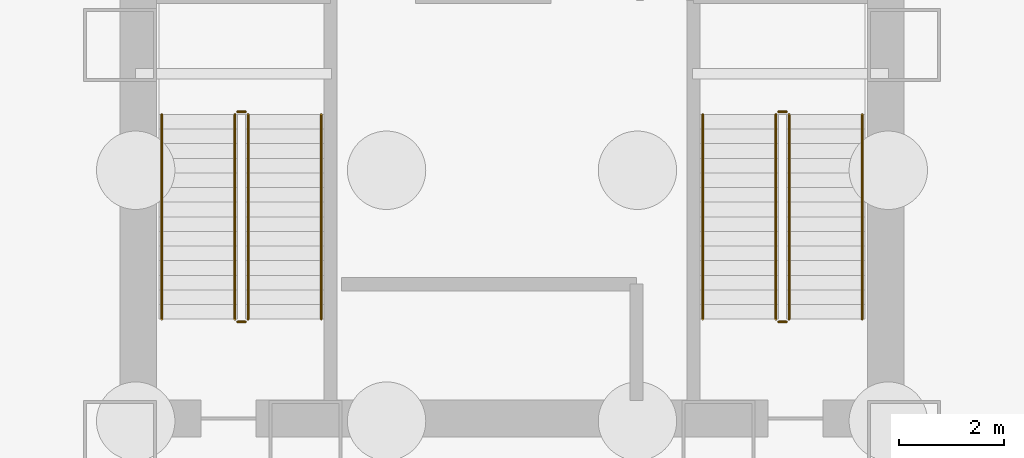
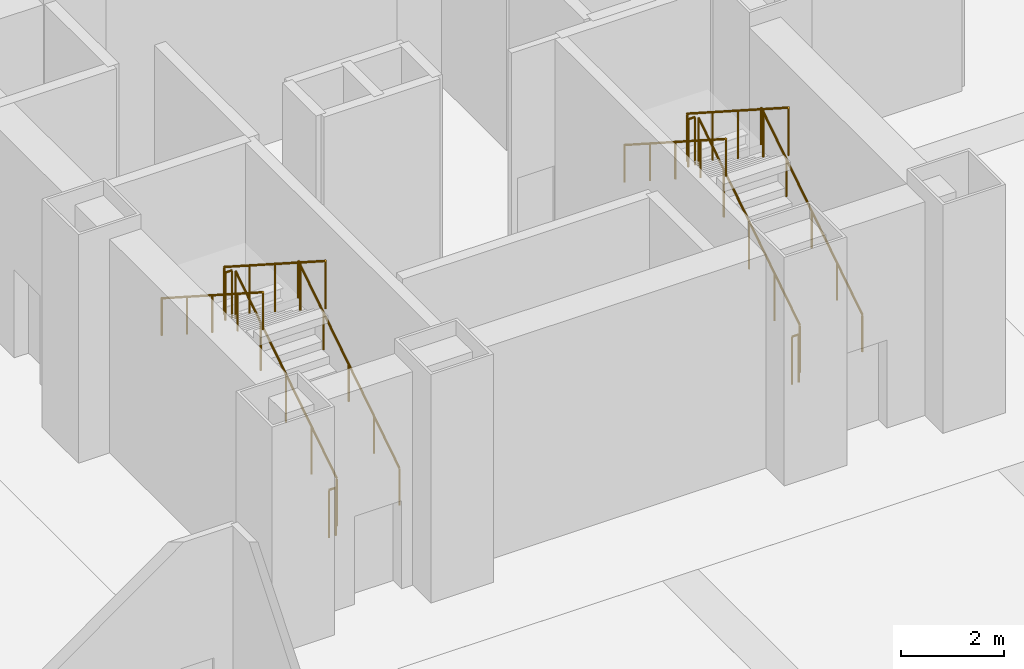
# One storey, part 11 of 16: 12 railings.
"""IFC4 building model written with IfcOpenShell, lengths in metres."""

import ifcopenshell
import ifcopenshell.guid

model = None  # the IFC model being written
_history = None  # IfcOwnerHistory: only IFC2X3 demands one
_inside = {}  # id of a spatial element -> (the spatial element, [elements in it])
_under = {}  # id of a project, library or spatial element -> (it, [spatial elements below it])
_declared = {}  # id of a project -> (the project, [libraries it declares])
_typed = {}  # id of a type object -> (the type object, [elements of that type])
_made_of = {}  # id of a material, layer set ... -> (it, [elements and type objects made of it])


def new_model(schema):
    """Start an empty IFC model of exactly this schema.

    Asked for "IFC4X3", IfcOpenShell would pick the latest addendum, in which some entities
    have other attributes; the version numbers below select the first issue.
    IFC2X3 requires an IfcOwnerHistory on every rooted entity: one is made here for all.
    """
    global model, _history
    if schema == "IFC4X3":
        model = ifcopenshell.file(schema_version=(4, 3, 0, 0))
    else:
        model = ifcopenshell.file(schema=schema)
    _inside.clear()
    _under.clear()
    _declared.clear()
    _typed.clear()
    _made_of.clear()
    _history = None
    if model.schema == "IFC2X3":
        org = make("IfcOrganization", Name="unknown")
        user = make(
            "IfcPersonAndOrganization",
            ThePerson=make("IfcPerson", FamilyName="unknown"),
            TheOrganization=org,
        )
        app = make(
            "IfcApplication",
            ApplicationDeveloper=org,
            Version="unknown",
            ApplicationFullName="unknown",
            ApplicationIdentifier="unknown",
        )
        _history = make(
            "IfcOwnerHistory",
            OwningUser=user,
            OwningApplication=app,
            ChangeAction="ADDED",
            CreationDate=0,
        )
    return model


def make(cls, **values):
    """One entity of the class cls with the attributes given. An attribute that is None is left unset."""
    return model.create_entity(
        cls, **{name: value for name, value in values.items() if value is not None}
    )


def rooted(cls, **values):
    """An entity with a GlobalId (a new one), such as an element, a storey or a relation."""
    return make(cls, GlobalId=ifcopenshell.guid.new(), OwnerHistory=_history, **values)


def si_unit(unit_type, name, prefix=None):
    """IfcSIUnit, for example si_unit("LENGTHUNIT", "METRE", prefix="MILLI")."""
    return make("IfcSIUnit", UnitType=unit_type, Prefix=prefix, Name=name)


def assignment(units):
    """IfcUnitAssignment: the units of a project."""
    return None if units is None else make("IfcUnitAssignment", Units=units)


def point(xyz):
    """IfcCartesianPoint."""
    return None if xyz is None else make("IfcCartesianPoint", Coordinates=xyz)


def direction(xyz):
    """IfcDirection."""
    return None if xyz is None else make("IfcDirection", DirectionRatios=xyz)


def frame(location, z_axis=None, x_axis=None):
    """IfcAxis2Placement3D, a coordinate frame: its origin and axes. An axis left out is left unset."""
    return make(
        "IfcAxis2Placement3D",
        Location=point(location),
        Axis=direction(z_axis),
        RefDirection=direction(x_axis),
    )


def frame_2d(location, x_axis=None):
    """IfcAxis2Placement2D, a coordinate frame in the plane: its origin and x axis."""
    return make(
        "IfcAxis2Placement2D", Location=point(location), RefDirection=direction(x_axis)
    )


def origin():
    """The frame at (0, 0, 0) with its axes left unset."""
    return frame((0.0, 0.0, 0.0))


def origin_2d():
    """The frame at (0, 0) in the plane with its x axis left unset."""
    return frame_2d((0.0, 0.0))


def place(relative_to, where):
    """IfcLocalPlacement: puts the frame where relative to a parent placement (None: the world)."""
    return make(
        "IfcLocalPlacement", PlacementRelTo=relative_to, RelativePlacement=where
    )


def context(
    kind, dimensions, precision=None, world=None, true_north=None, identifier=None
):
    """IfcGeometricRepresentationContext, for example the 3D "Model" context."""
    return make(
        "IfcGeometricRepresentationContext",
        ContextIdentifier=identifier,
        ContextType=kind,
        CoordinateSpaceDimension=dimensions,
        Precision=precision,
        WorldCoordinateSystem=world,
        TrueNorth=true_north,
    )


def subcontext(parent, identifier, kind, view, scale=None):
    """IfcGeometricRepresentationSubContext, for example "Body" below "Model"."""
    return make(
        "IfcGeometricRepresentationSubContext",
        ContextIdentifier=identifier,
        ContextType=kind,
        ParentContext=parent,
        TargetScale=scale,
        TargetView=view,
    )


def project(units=None, contexts=None):
    """IfcProject with its units and contexts."""
    return rooted(
        "IfcProject",
        Name="project",
        RepresentationContexts=contexts,
        UnitsInContext=assignment(units),
    )


def spatial(cls, under=None, at=None, **own):
    """A site, building, storey or space (cls), placed at a placement, below another one or the project."""
    s = rooted(cls, ObjectPlacement=at, **own)
    if under is not None:
        _under.setdefault(under.id(), (under, []))[1].append(s)
    return s


def profile(cls, at=None, kind="AREA", **sizes):
    """A parametric profile (cls). Its sizes go by their IFC names, for example OverallWidth=200.0."""
    return make(cls, ProfileType=kind, Position=at, **sizes)


def circle(**sizes):
    """IfcCircleProfileDef."""
    return profile("IfcCircleProfileDef", **sizes)


def extrude(swept, where, along, depth):
    """IfcExtrudedAreaSolid: the profile swept, set in the frame where, extruded along a direction by depth."""
    return make(
        "IfcExtrudedAreaSolid",
        SweptArea=swept,
        Position=where,
        ExtrudedDirection=direction(along),
        Depth=depth,
    )


def shape(context_of_items, identifier, shape_type, items):
    """IfcShapeRepresentation: the items that make up one representation, for example the "Body"."""
    return make(
        "IfcShapeRepresentation",
        ContextOfItems=context_of_items,
        RepresentationIdentifier=identifier,
        RepresentationType=shape_type,
        Items=items,
    )


def material(Name=None, Category=None):
    """IfcMaterial."""
    return make("IfcMaterial", Name=Name, Category=Category)


def made_of(thing, what):
    """Note that an element or type object is made of a material, layer set ...; save() writes the relation."""
    if what is not None:
        _made_of.setdefault(what.id(), (what, []))[1].append(thing)
    return thing


def type_object(cls, material=None, **own):
    """A type object (cls), such as IfcWallType, which elements share."""
    return made_of(rooted(cls, **own), material)


def element(
    cls,
    number,
    at=None,
    inside=None,
    cuts=None,
    type_object=None,
    material=None,
    context=None,
    identifier="Body",
    shape_type=None,
    held_by="IfcProductDefinitionShape",
    body=None,
    shapes=None,
    **own,
):
    """One element of the class cls, such as IfcWall. Its Tag is "e" and its number.

    at: its placement. inside: the storey or other place that contains it. cuts: it is an
    opening in that element (IfcRelVoidsElement). A single representation is given by context,
    identifier, shape_type and body (its items); several are given by shapes. held_by: the class
    of the entity that holds the representations. save() writes the other relations.
    """
    e = rooted(cls, Tag="e%d" % number, ObjectPlacement=at, **own)
    if body is not None:
        shapes = [shape(context, identifier, shape_type, body)]
    if shapes is not None:
        e.Representation = make(held_by, Representations=shapes)
    if inside is not None:
        _inside.setdefault(inside.id(), (inside, []))[1].append(e)
    if cuts is not None:
        rooted(
            "IfcRelVoidsElement", RelatingBuildingElement=cuts, RelatedOpeningElement=e
        )
    if type_object is not None:
        _typed.setdefault(type_object.id(), (type_object, []))[1].append(e)
    return made_of(e, material)


def aggregate(whole, parts):
    """IfcRelAggregates: a whole, such as a stair, and the parts it consists of."""
    return rooted("IfcRelAggregates", RelatingObject=whole, RelatedObjects=parts)


def save(model, path):
    """Write the relations noted so far, then the file.

    IfcRelAggregates (storeys below a building ...), IfcRelContainedInSpatialStructure (elements
    in a storey), IfcRelDefinesByType, IfcRelAssociatesMaterial and IfcRelDeclares: one each for
    every whole, place, type object, material and project.
    """
    for whole, parts in _under.values():
        aggregate(whole, parts)
    for where, things in _inside.values():
        rooted(
            "IfcRelContainedInSpatialStructure",
            RelatedElements=things,
            RelatingStructure=where,
        )
    for kind, things in _typed.values():
        rooted("IfcRelDefinesByType", RelatedObjects=things, RelatingType=kind)
    for what, things in _made_of.values():
        rooted("IfcRelAssociatesMaterial", RelatedObjects=things, RelatingMaterial=what)
    for by, libraries in _declared.values():
        rooted("IfcRelDeclares", RelatingContext=by, RelatedDefinitions=libraries)
    model.write(path)


model = new_model("IFC4")

# Units and contexts
model_context = context("Model", 3, precision=1e-05, world=origin(), true_north=direction((0.0, 1.0)))
body_context = subcontext(model_context, "Body", "Model", "MODEL_VIEW")
ifc_project = project(units=[si_unit("LENGTHUNIT", "METRE"), si_unit("AREAUNIT", "SQUARE_METRE"), si_unit("VOLUMEUNIT", "CUBIC_METRE"), si_unit("PLANEANGLEUNIT", "RADIAN"), si_unit("MASSUNIT", "GRAM", prefix="KILO")], contexts=[model_context])

# Site, building, storey
site_placement = place(None, origin())
site = spatial("IfcSite", under=ifc_project, at=site_placement, CompositionType="ELEMENT")
building_placement = place(site_placement, origin())
building = spatial("IfcBuilding", under=site, at=building_placement, Name="Trevonay Congress Spire", CompositionType="ELEMENT")
storey_placement = place(building_placement, frame((0.0, 0.0, -10.800048828125)))
storey = spatial("IfcBuildingStorey", under=building, at=storey_placement, Name="B2", CompositionType="ELEMENT", Elevation=-10.800048828125)

# Railings
ifc_material = material(Name="Pale Anodised Aluminium EN AW-6063-T6", Category="aluminium")
railing_type_1 = type_object("IfcRailingType", Name="RAL-STAIR-GUARD-110", PredefinedType="GUARDRAIL", material=ifc_material)
railing_1_placement = place(storey_placement, frame((-5.050048828125, -5.25, 0.179931640625)))
element("IfcRailing", 1, at=railing_1_placement, inside=storey, type_object=railing_type_1, Name="B2 ST-1 stair guard 1", PredefinedType="GUARDRAIL", context=body_context, shape_type="SweptSolid", body=[
    extrude(circle(Radius=0.02392578125, at=origin_2d()), frame((0.0, 0.0, 1.1259765625), z_axis=(0.0, 0.841171666519, 0.540768182723), x_axis=(-1.0, 0.0, 0.0)), (0.0, 0.0, 1.0), 4.66015625),
    extrude(circle(Radius=0.02099609375, at=origin_2d()), origin(), (0.0, 0.0, 1.0), 1.101806640625),
    extrude(circle(Radius=0.02099609375, at=origin_2d()), frame((0.0, 0.97998046875, 0.6298828125)), (0.0, 0.0, 1.0), 1.101806640625),
    extrude(circle(Radius=0.02099609375, at=origin_2d()), frame((0.0, 1.9599609375, 1.260009765625)), (0.0, 0.0, 1.0), 1.101806640625),
    extrude(circle(Radius=0.02099609375, at=origin_2d()), frame((0.0, 2.93994140625, 1.89013671875)), (0.0, 0.0, 1.0), 1.101806640625),
    extrude(circle(Radius=0.02099609375, at=origin_2d()), frame((0.0, 3.919921875, 2.52001953125)), (0.0, 0.0, 1.0), 1.101806640625),
])
railing_2_placement = place(storey_placement, frame((-5.10009765625, -1.280029296875, 2.699951171875)))
element("IfcRailing", 2, at=railing_2_placement, inside=storey, type_object=railing_type_1, Name="B2 ST-1 stair guard 2", PredefinedType="GUARDRAIL", context=body_context, shape_type="SweptSolid", body=[
    extrude(circle(Radius=0.02392578125, at=origin_2d()), frame((0.0, 0.0, 1.1259765625), z_axis=(-1.0, 0.0, 0.0), x_axis=(0.0, -1.0, 0.0)), (0.0, 0.0, 1.0), 0.14990234375),
    extrude(circle(Radius=0.02099609375, at=origin_2d()), origin(), (0.0, 0.0, 1.0), 1.101806640625),
    extrude(circle(Radius=0.02099609375, at=origin_2d()), frame((-0.14990234375, 0.0, 0.0)), (0.0, 0.0, 1.0), 1.101806640625),
])
railing_3_placement = place(storey_placement, frame((-5.300048828125, -1.330078125, 2.880126953125)))
element("IfcRailing", 3, at=railing_3_placement, inside=storey, type_object=railing_type_1, Name="B2 ST-1 stair guard 3", PredefinedType="GUARDRAIL", context=body_context, shape_type="SweptSolid", body=[
    extrude(circle(Radius=0.02392578125, at=origin_2d()), frame((0.0, 0.0, 1.1259765625), z_axis=(0.0, -0.841171666519, 0.540768182723), x_axis=(1.0, 0.0, 0.0)), (0.0, 0.0, 1.0), 4.66015625),
    extrude(circle(Radius=0.02099609375, at=origin_2d()), origin(), (0.0, 0.0, 1.0), 1.101806640625),
    extrude(circle(Radius=0.02099609375, at=origin_2d()), frame((0.0, -0.97998046875, 0.6298828125)), (0.0, 0.0, 1.0), 1.101806640625),
    extrude(circle(Radius=0.02099609375, at=origin_2d()), frame((0.0, -1.9599609375, 1.260009765625)), (0.0, 0.0, 1.0), 1.101806640625),
    extrude(circle(Radius=0.02099609375, at=origin_2d()), frame((0.0, -2.93994140625, 1.89013671875)), (0.0, 0.0, 1.0), 1.101806640625),
    extrude(circle(Radius=0.02099609375, at=origin_2d()), frame((0.0, -3.919921875, 2.52001953125)), (0.0, 0.0, 1.0), 1.101806640625),
])
railing_4_placement = place(storey_placement, frame((-5.10009765625, -5.300048828125, 0.0)))
element("IfcRailing", 4, at=railing_4_placement, inside=storey, type_object=railing_type_1, Name="B2 ST-1 stair guard 4", PredefinedType="GUARDRAIL", context=body_context, shape_type="SweptSolid", body=[
    extrude(circle(Radius=0.02392578125, at=origin_2d()), frame((0.0, 0.0, 1.1259765625), z_axis=(-1.0, 0.0, 0.0), x_axis=(0.0, -1.0, 0.0)), (0.0, 0.0, 1.0), 0.14990234375),
    extrude(circle(Radius=0.02099609375, at=origin_2d()), origin(), (0.0, 0.0, 1.0), 1.101806640625),
    extrude(circle(Radius=0.02099609375, at=origin_2d()), frame((-0.14990234375, 0.0, 0.0)), (0.0, 0.0, 1.0), 1.101806640625),
])
railing_5_placement = place(storey_placement, frame((5.300048828125, -5.25, 0.179931640625)))
element("IfcRailing", 5, at=railing_5_placement, inside=storey, type_object=railing_type_1, Name="B2 ST-2 stair guard 1", PredefinedType="GUARDRAIL", context=body_context, shape_type="SweptSolid", body=[
    extrude(circle(Radius=0.02392578125, at=origin_2d()), frame((0.0, 0.0, 1.1259765625), z_axis=(0.0, 0.841171666519, 0.540768182723), x_axis=(-1.0, 0.0, 0.0)), (0.0, 0.0, 1.0), 4.66015625),
    extrude(circle(Radius=0.02099609375, at=origin_2d()), origin(), (0.0, 0.0, 1.0), 1.101806640625),
    extrude(circle(Radius=0.02099609375, at=origin_2d()), frame((0.0, 0.97998046875, 0.6298828125)), (0.0, 0.0, 1.0), 1.101806640625),
    extrude(circle(Radius=0.02099609375, at=origin_2d()), frame((0.0, 1.9599609375, 1.260009765625)), (0.0, 0.0, 1.0), 1.101806640625),
    extrude(circle(Radius=0.02099609375, at=origin_2d()), frame((0.0, 2.93994140625, 1.89013671875)), (0.0, 0.0, 1.0), 1.101806640625),
    extrude(circle(Radius=0.02099609375, at=origin_2d()), frame((0.0, 3.919921875, 2.52001953125)), (0.0, 0.0, 1.0), 1.101806640625),
])
railing_6_placement = place(storey_placement, frame((5.25, -1.280029296875, 2.699951171875)))
element("IfcRailing", 6, at=railing_6_placement, inside=storey, type_object=railing_type_1, Name="B2 ST-2 stair guard 2", PredefinedType="GUARDRAIL", context=body_context, shape_type="SweptSolid", body=[
    extrude(circle(Radius=0.02392578125, at=origin_2d()), frame((0.0, 0.0, 1.1259765625), z_axis=(-1.0, 0.0, 0.0), x_axis=(0.0, -1.0, 0.0)), (0.0, 0.0, 1.0), 0.14990234375),
    extrude(circle(Radius=0.02099609375, at=origin_2d()), origin(), (0.0, 0.0, 1.0), 1.101806640625),
    extrude(circle(Radius=0.02099609375, at=origin_2d()), frame((-0.14990234375, 0.0, 0.0)), (0.0, 0.0, 1.0), 1.101806640625),
])
railing_7_placement = place(storey_placement, frame((5.050048828125, -1.330078125, 2.880126953125)))
element("IfcRailing", 7, at=railing_7_placement, inside=storey, type_object=railing_type_1, Name="B2 ST-2 stair guard 3", PredefinedType="GUARDRAIL", context=body_context, shape_type="SweptSolid", body=[
    extrude(circle(Radius=0.02392578125, at=origin_2d()), frame((0.0, 0.0, 1.1259765625), z_axis=(0.0, -0.841171666519, 0.540768182723), x_axis=(1.0, 0.0, 0.0)), (0.0, 0.0, 1.0), 4.66015625),
    extrude(circle(Radius=0.02099609375, at=origin_2d()), origin(), (0.0, 0.0, 1.0), 1.101806640625),
    extrude(circle(Radius=0.02099609375, at=origin_2d()), frame((0.0, -0.97998046875, 0.6298828125)), (0.0, 0.0, 1.0), 1.101806640625),
    extrude(circle(Radius=0.02099609375, at=origin_2d()), frame((0.0, -1.9599609375, 1.260009765625)), (0.0, 0.0, 1.0), 1.101806640625),
    extrude(circle(Radius=0.02099609375, at=origin_2d()), frame((0.0, -2.93994140625, 1.89013671875)), (0.0, 0.0, 1.0), 1.101806640625),
    extrude(circle(Radius=0.02099609375, at=origin_2d()), frame((0.0, -3.919921875, 2.52001953125)), (0.0, 0.0, 1.0), 1.101806640625),
])
railing_8_placement = place(storey_placement, frame((5.25, -5.300048828125, 0.0)))
element("IfcRailing", 8, at=railing_8_placement, inside=storey, type_object=railing_type_1, Name="B2 ST-2 stair guard 4", PredefinedType="GUARDRAIL", context=body_context, shape_type="SweptSolid", body=[
    extrude(circle(Radius=0.02392578125, at=origin_2d()), frame((0.0, 0.0, 1.1259765625), z_axis=(-1.0, 0.0, 0.0), x_axis=(0.0, -1.0, 0.0)), (0.0, 0.0, 1.0), 0.14990234375),
    extrude(circle(Radius=0.02099609375, at=origin_2d()), origin(), (0.0, 0.0, 1.0), 1.101806640625),
    extrude(circle(Radius=0.02099609375, at=origin_2d()), frame((-0.14990234375, 0.0, 0.0)), (0.0, 0.0, 1.0), 1.101806640625),
])
railing_type_2 = type_object("IfcRailingType", Name="RAL-STAIR-HANDRAIL", PredefinedType="HANDRAIL", material=ifc_material)
railing_9_placement = place(storey_placement, frame((-3.64990234375, -5.25, 0.179931640625)))
element("IfcRailing", 9, at=railing_9_placement, inside=storey, type_object=railing_type_2, Name="B2 ST-1 stair handrail 1", PredefinedType="HANDRAIL", context=body_context, shape_type="SweptSolid", body=[
    extrude(circle(Radius=0.02392578125, at=origin_2d()), frame((0.0, 0.0, 0.8759765625), z_axis=(0.0, 0.841171666519, 0.540768182723), x_axis=(-1.0, 0.0, 0.0)), (0.0, 0.0, 1.0), 4.66015625),
    extrude(circle(Radius=0.02099609375, at=origin_2d()), origin(), (0.0, 0.0, 1.0), 0.851806640625),
    extrude(circle(Radius=0.02099609375, at=origin_2d()), frame((0.0, 0.97998046875, 0.6298828125)), (0.0, 0.0, 1.0), 0.851806640625),
    extrude(circle(Radius=0.02099609375, at=origin_2d()), frame((0.0, 1.9599609375, 1.260009765625)), (0.0, 0.0, 1.0), 0.851806640625),
    extrude(circle(Radius=0.02099609375, at=origin_2d()), frame((0.0, 2.93994140625, 1.89013671875)), (0.0, 0.0, 1.0), 0.851806640625),
    extrude(circle(Radius=0.02099609375, at=origin_2d()), frame((0.0, 3.919921875, 2.52001953125)), (0.0, 0.0, 1.0), 0.851806640625),
])
railing_10_placement = place(storey_placement, frame((-6.699951171875, -1.330078125, 2.880126953125)))
element("IfcRailing", 10, at=railing_10_placement, inside=storey, type_object=railing_type_2, Name="B2 ST-1 stair handrail 2", PredefinedType="HANDRAIL", context=body_context, shape_type="SweptSolid", body=[
    extrude(circle(Radius=0.02392578125, at=origin_2d()), frame((0.0, 0.0, 0.8759765625), z_axis=(0.0, -0.841171666519, 0.540768182723), x_axis=(1.0, 0.0, 0.0)), (0.0, 0.0, 1.0), 4.66015625),
    extrude(circle(Radius=0.02099609375, at=origin_2d()), origin(), (0.0, 0.0, 1.0), 0.851806640625),
    extrude(circle(Radius=0.02099609375, at=origin_2d()), frame((0.0, -0.97998046875, 0.6298828125)), (0.0, 0.0, 1.0), 0.851806640625),
    extrude(circle(Radius=0.02099609375, at=origin_2d()), frame((0.0, -1.9599609375, 1.260009765625)), (0.0, 0.0, 1.0), 0.851806640625),
    extrude(circle(Radius=0.02099609375, at=origin_2d()), frame((0.0, -2.93994140625, 1.89013671875)), (0.0, 0.0, 1.0), 0.851806640625),
    extrude(circle(Radius=0.02099609375, at=origin_2d()), frame((0.0, -3.919921875, 2.52001953125)), (0.0, 0.0, 1.0), 0.851806640625),
])
railing_11_placement = place(storey_placement, frame((6.699951171875, -5.25, 0.179931640625)))
element("IfcRailing", 11, at=railing_11_placement, inside=storey, type_object=railing_type_2, Name="B2 ST-2 stair handrail 1", PredefinedType="HANDRAIL", context=body_context, shape_type="SweptSolid", body=[
    extrude(circle(Radius=0.02392578125, at=origin_2d()), frame((0.0, 0.0, 0.8759765625), z_axis=(0.0, 0.841171666519, 0.540768182723), x_axis=(-1.0, 0.0, 0.0)), (0.0, 0.0, 1.0), 4.66015625),
    extrude(circle(Radius=0.02099609375, at=origin_2d()), origin(), (0.0, 0.0, 1.0), 0.851806640625),
    extrude(circle(Radius=0.02099609375, at=origin_2d()), frame((0.0, 0.97998046875, 0.6298828125)), (0.0, 0.0, 1.0), 0.851806640625),
    extrude(circle(Radius=0.02099609375, at=origin_2d()), frame((0.0, 1.9599609375, 1.260009765625)), (0.0, 0.0, 1.0), 0.851806640625),
    extrude(circle(Radius=0.02099609375, at=origin_2d()), frame((0.0, 2.93994140625, 1.89013671875)), (0.0, 0.0, 1.0), 0.851806640625),
    extrude(circle(Radius=0.02099609375, at=origin_2d()), frame((0.0, 3.919921875, 2.52001953125)), (0.0, 0.0, 1.0), 0.851806640625),
])
railing_12_placement = place(storey_placement, frame((3.64990234375, -1.330078125, 2.880126953125)))
element("IfcRailing", 12, at=railing_12_placement, inside=storey, type_object=railing_type_2, Name="B2 ST-2 stair handrail 2", PredefinedType="HANDRAIL", context=body_context, shape_type="SweptSolid", body=[
    extrude(circle(Radius=0.02392578125, at=origin_2d()), frame((0.0, 0.0, 0.8759765625), z_axis=(0.0, -0.841171666519, 0.540768182723), x_axis=(1.0, 0.0, 0.0)), (0.0, 0.0, 1.0), 4.66015625),
    extrude(circle(Radius=0.02099609375, at=origin_2d()), origin(), (0.0, 0.0, 1.0), 0.851806640625),
    extrude(circle(Radius=0.02099609375, at=origin_2d()), frame((0.0, -0.97998046875, 0.6298828125)), (0.0, 0.0, 1.0), 0.851806640625),
    extrude(circle(Radius=0.02099609375, at=origin_2d()), frame((0.0, -1.9599609375, 1.260009765625)), (0.0, 0.0, 1.0), 0.851806640625),
    extrude(circle(Radius=0.02099609375, at=origin_2d()), frame((0.0, -2.93994140625, 1.89013671875)), (0.0, 0.0, 1.0), 0.851806640625),
    extrude(circle(Radius=0.02099609375, at=origin_2d()), frame((0.0, -3.919921875, 2.52001953125)), (0.0, 0.0, 1.0), 0.851806640625),
])

save(model, "model.ifc")
